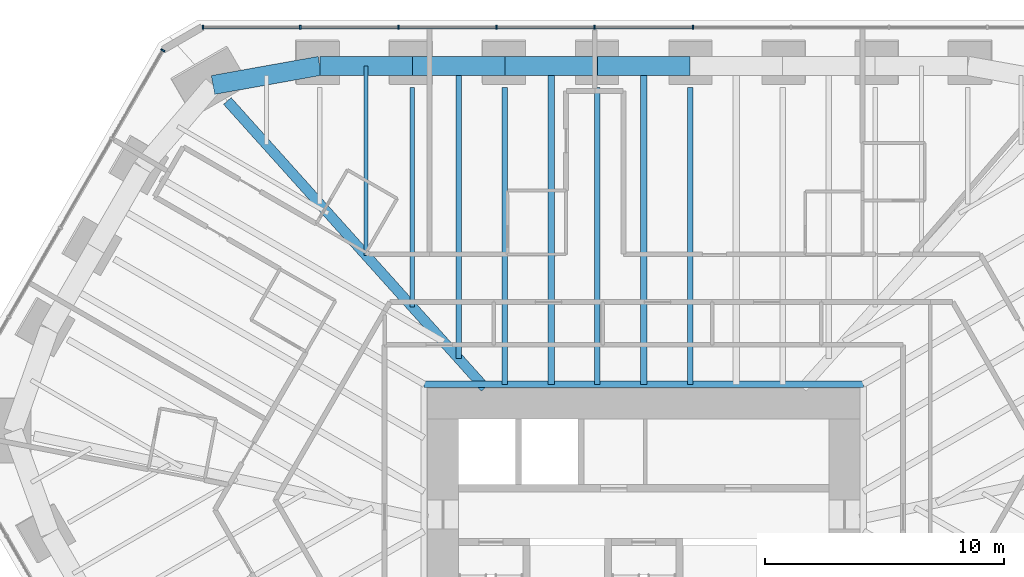
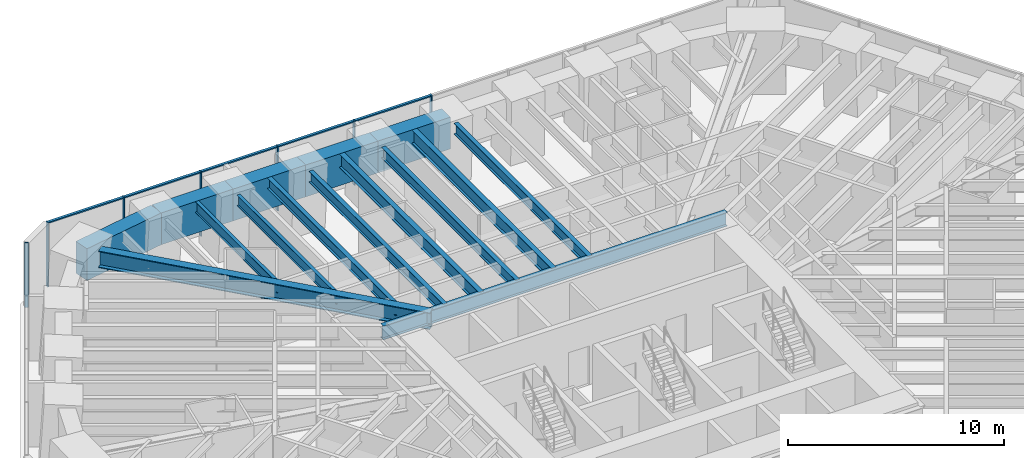
# One storey, part 8 of 18: 15 beams, 12 members, 2 elements without a shape of their own.
"""IFC4 building model written with IfcOpenShell, lengths in metres."""

from ifc_helpers import new_model, si_unit, direction, frame, origin, origin_2d, place, context, subcontext, project, spatial, rectangle, i_section, extrude, material, material_profile, profile_set, type_object, element, aggregate, save


model = new_model("IFC4")

# Units and contexts
model_context = context("Model", 3, precision=1e-05, world=origin(), true_north=direction((0.0, 1.0)))
body_context = subcontext(model_context, "Body", "Model", "MODEL_VIEW")
ifc_project = project(units=[si_unit("LENGTHUNIT", "METRE"), si_unit("AREAUNIT", "SQUARE_METRE"), si_unit("VOLUMEUNIT", "CUBIC_METRE"), si_unit("PLANEANGLEUNIT", "RADIAN"), si_unit("MASSUNIT", "GRAM", prefix="KILO")], contexts=[model_context])

# Site, building, storey
site_placement = place(None, origin())
site = spatial("IfcSite", under=ifc_project, at=site_placement, CompositionType="ELEMENT")
building_placement = place(site_placement, origin())
building = spatial("IfcBuilding", under=site, at=building_placement, Name="Sandreach Pilgrim Tower", CompositionType="ELEMENT")
storey_placement = place(building_placement, frame((0.0, 0.0, 153.800048828125)))
storey = spatial("IfcBuildingStorey", under=building, at=storey_placement, Name="L38", CompositionType="ELEMENT", Elevation=153.800048828125)

# Curtain wall, members
ifc_material_1 = material(Name="Aluminium framed curtain wall", Category="aluminium")
curtain_wall_type = type_object("IfcCurtainWallType", Name="Hotel tower curtain wall", PredefinedType="NOTDEFINED", material=ifc_material_1)
curtain_wall_1_placement = place(storey_placement, origin())
curtain_wall_1 = element("IfcCurtainWall", 1, at=curtain_wall_1_placement, inside=storey, type_object=curtain_wall_type, Name="CW-2 L38 N", PredefinedType="NOTDEFINED")
ifc_material_2 = material(Name="Aluminium extrusion", Category="aluminium")
ifc_material_profile_1 = material_profile(ifc_material_2, rectangle(XDim=0.06494140625, YDim=0.179931640625, at=origin_2d()), Name="CW-2M 65X180")
ifc_profile_set_1 = profile_set([ifc_material_profile_1], Name="Aluminium extrusion")
member_type_1 = type_object("IfcMemberType", Name="CW-2 mullion", PredefinedType="MULLION", material=ifc_profile_set_1)
member_1_placement = place(storey_placement, frame((-18.448974609375, 22.493896484375, 0.0), z_axis=(0.0, 0.0, 1.0), x_axis=(1.0, 0.0, 0.0)))
member_1 = element("IfcMember", 2, at=member_1_placement, type_object=member_type_1, Name="CW-2 mullion 1", PredefinedType="MULLION", context=body_context, shape_type="SweptSolid", body=[
    extrude(rectangle(XDim=0.06494140625, YDim=0.179931640625, at=origin_2d()), origin(), (0.0, 0.0, 1.0), 3.639892578125),
])
member_2_placement = place(storey_placement, frame((-14.37451171875, 22.493896484375, 0.0), z_axis=(0.0, 0.0, 1.0), x_axis=(1.0, 0.0, 0.0)))
member_2 = element("IfcMember", 3, at=member_2_placement, type_object=member_type_1, Name="CW-2 mullion 2", PredefinedType="MULLION", context=body_context, shape_type="SweptSolid", body=[
    extrude(rectangle(XDim=0.06494140625, YDim=0.179931640625, at=origin_2d()), origin(), (0.0, 0.0, 1.0), 3.639892578125),
])
member_3_placement = place(storey_placement, frame((-10.267333984375, 22.493896484375, 0.0), z_axis=(0.0, 0.0, 1.0), x_axis=(1.0, 0.0, 0.0)))
member_3 = element("IfcMember", 4, at=member_3_placement, type_object=member_type_1, Name="CW-2 mullion 3", PredefinedType="MULLION", context=body_context, shape_type="SweptSolid", body=[
    extrude(rectangle(XDim=0.06494140625, YDim=0.179931640625, at=origin_2d()), origin(), (0.0, 0.0, 1.0), 3.639892578125),
])
member_4_placement = place(storey_placement, frame((-6.160400390625, 22.493896484375, 0.0), z_axis=(0.0, 0.0, 1.0), x_axis=(1.0, 0.0, 0.0)))
member_4 = element("IfcMember", 5, at=member_4_placement, type_object=member_type_1, Name="CW-2 mullion 4", PredefinedType="MULLION", context=body_context, shape_type="SweptSolid", body=[
    extrude(rectangle(XDim=0.06494140625, YDim=0.179931640625, at=origin_2d()), origin(), (0.0, 0.0, 1.0), 3.639892578125),
])
member_5_placement = place(storey_placement, frame((-2.053466796875, 22.493896484375, 0.0), z_axis=(0.0, 0.0, 1.0), x_axis=(1.0, 0.0, 0.0)))
member_5 = element("IfcMember", 6, at=member_5_placement, type_object=member_type_1, Name="CW-2 mullion 5", PredefinedType="MULLION", context=body_context, shape_type="SweptSolid", body=[
    extrude(rectangle(XDim=0.06494140625, YDim=0.179931640625, at=origin_2d()), origin(), (0.0, 0.0, 1.0), 3.639892578125),
])
member_6_placement = place(storey_placement, frame((2.053466796875, 22.493896484375, 0.0), z_axis=(0.0, 0.0, 1.0), x_axis=(1.0, 0.0, 0.0)))
member_6 = element("IfcMember", 7, at=member_6_placement, type_object=member_type_1, Name="CW-2 mullion 6", PredefinedType="MULLION", context=body_context, shape_type="SweptSolid", body=[
    extrude(rectangle(XDim=0.06494140625, YDim=0.179931640625, at=origin_2d()), origin(), (0.0, 0.0, 1.0), 3.639892578125),
])

# Curtain wall, member
curtain_wall_2_placement = place(storey_placement, origin())
curtain_wall_2 = element("IfcCurtainWall", 8, at=curtain_wall_2_placement, inside=storey, type_object=curtain_wall_type, Name="CW-2 L38 NW", PredefinedType="NOTDEFINED")
member_7_placement = place(storey_placement, frame((-20.125732421875, 21.525634765625, 0.0), z_axis=(0.0, 0.0, 1.0), x_axis=(0.5, 0.866025403784, 0.0)))
member_7 = element("IfcMember", 9, at=member_7_placement, type_object=member_type_1, Name="CW-2 mullion 5", PredefinedType="MULLION", context=body_context, shape_type="SweptSolid", body=[
    extrude(rectangle(XDim=0.06494140625, YDim=0.179931640625, at=origin_2d()), origin(), (0.0, 0.0, 1.0), 3.639892578125),
])
aggregate(curtain_wall_2, [member_7])

# Member
ifc_material_3 = material(Name="Aluminium extrusion", Category="aluminium")
ifc_material_profile_2 = material_profile(ifc_material_3, rectangle(XDim=0.139892578125, YDim=0.070068359375, at=origin_2d()), Name="CW-2T 140X70")
ifc_profile_set_2 = profile_set([ifc_material_profile_2], Name="Aluminium extrusion")
member_type_2 = type_object("IfcMemberType", Name="CW-2 transom", PredefinedType="USERDEFINED", material=ifc_profile_set_2)
member_8_placement = place(storey_placement, frame((-18.416259765625, 22.493896484375, 3.60498046875), z_axis=(1.0, 0.0, 0.0), x_axis=(0.0, 1.0, 0.0)))
member_8 = element("IfcMember", 10, at=member_8_placement, type_object=member_type_2, Name="CW-2 head transom 1", ObjectType="TRANSOM", PredefinedType="USERDEFINED", context=body_context, shape_type="SweptSolid", body=[
    extrude(rectangle(XDim=0.139892578125, YDim=0.070068359375, at=origin_2d()), origin(), (0.0, 0.0, 1.0), 4.00927734375),
])

member_9_placement = place(storey_placement, frame((-14.341796875, 22.493896484375, 3.60498046875), z_axis=(1.0, 0.0, 0.0), x_axis=(0.0, 1.0, 0.0)))
member_9 = element("IfcMember", 11, at=member_9_placement, type_object=member_type_2, Name="CW-2 head transom 2", ObjectType="TRANSOM", PredefinedType="USERDEFINED", context=body_context, shape_type="SweptSolid", body=[
    extrude(rectangle(XDim=0.139892578125, YDim=0.070068359375, at=origin_2d()), origin(), (0.0, 0.0, 1.0), 4.041748046875),
])

member_10_placement = place(storey_placement, frame((-10.23486328125, 22.493896484375, 3.60498046875), z_axis=(1.0, 0.0, 0.0), x_axis=(0.0, 1.0, 0.0)))
member_10 = element("IfcMember", 12, at=member_10_placement, type_object=member_type_2, Name="CW-2 head transom 3", ObjectType="TRANSOM", PredefinedType="USERDEFINED", context=body_context, shape_type="SweptSolid", body=[
    extrude(rectangle(XDim=0.139892578125, YDim=0.070068359375, at=origin_2d()), origin(), (0.0, 0.0, 1.0), 4.0419921875),
])

member_11_placement = place(storey_placement, frame((-6.1279296875, 22.493896484375, 3.60498046875), z_axis=(1.0, 0.0, 0.0), x_axis=(0.0, 1.0, 0.0)))
member_11 = element("IfcMember", 13, at=member_11_placement, type_object=member_type_2, Name="CW-2 head transom 4", ObjectType="TRANSOM", PredefinedType="USERDEFINED", context=body_context, shape_type="SweptSolid", body=[
    extrude(rectangle(XDim=0.139892578125, YDim=0.070068359375, at=origin_2d()), origin(), (0.0, 0.0, 1.0), 4.0419921875),
])

member_12_placement = place(storey_placement, frame((-2.02099609375, 22.493896484375, 3.60498046875), z_axis=(1.0, 0.0, 0.0), x_axis=(0.0, 1.0, 0.0)))
member_12 = element("IfcMember", 14, at=member_12_placement, type_object=member_type_2, Name="CW-2 head transom 5", ObjectType="TRANSOM", PredefinedType="USERDEFINED", context=body_context, shape_type="SweptSolid", body=[
    extrude(rectangle(XDim=0.139892578125, YDim=0.070068359375, at=origin_2d()), origin(), (0.0, 0.0, 1.0), 4.0419921875),
])

aggregate(curtain_wall_1, [member_1, member_2, member_3, member_4, member_5, member_6, member_8, member_9, member_10, member_11, member_12])

# Beams
ifc_material_4 = material(Name="Steel ASTM A992 Grade 50", Category="steel")
ifc_material_profile_3 = material_profile(ifc_material_4, i_section(OverallWidth=0.2666015625, OverallDepth=0.77978515625, WebThickness=0.0166015625, FlangeThickness=0.030029296875, at=origin_2d()), Name="W30X148")
ifc_profile_set_3 = profile_set([ifc_material_profile_3], Name="Steel ASTM A992 Grade 50")
beam_type_1 = type_object("IfcBeamType", Name="Core edge beam W30X148", PredefinedType="BEAM", material=ifc_profile_set_3)
beam_1_placement = place(storey_placement, frame((-9.193359375, 7.54345703125, 3.25), z_axis=(1.0, 0.0, 0.0), x_axis=(0.0, 1.0, 0.0)))
element("IfcBeam", 15, at=beam_1_placement, inside=storey, type_object=beam_type_1, Name="BM L38 CEN", PredefinedType="BEAM", context=body_context, shape_type="SweptSolid", body=[
    extrude(i_section(OverallWidth=0.2666015625, OverallDepth=0.77978515625, WebThickness=0.0166015625, FlangeThickness=0.030029296875, at=origin_2d()), origin(), (0.0, 0.0, 1.0), 18.38671875),
])
ifc_material_5 = material(Name="Steel ASTM A992 Grade 50", Category="steel")
ifc_material_profile_4 = material_profile(ifc_material_5, i_section(OverallWidth=0.424072265625, OverallDepth=0.947509765625, WebThickness=0.02392578125, FlangeThickness=0.042724609375, at=origin_2d()), Name="W36X302")
ifc_profile_set_4 = profile_set([ifc_material_profile_4], Name="Steel ASTM A992 Grade 50")
beam_type_2 = type_object("IfcBeamType", Name="Corner girder W36X302", PredefinedType="BEAM", material=ifc_profile_set_4)
beam_2_placement = place(storey_placement, frame((-17.425048828125, 19.40576171875, 3.166259765625), z_axis=(0.668108278651, -0.744064061757, 0.0), x_axis=(0.744064061757, 0.668108278651, 0.0)))
element("IfcBeam", 16, at=beam_2_placement, inside=storey, type_object=beam_type_2, Name="BM L38 CG39", PredefinedType="BEAM", context=body_context, shape_type="SweptSolid", body=[
    extrude(i_section(OverallWidth=0.424072265625, OverallDepth=0.947509765625, WebThickness=0.02392578125, FlangeThickness=0.042724609375, at=origin_2d()), origin(), (0.0, 0.0, 1.0), 16.135498046875),
])
ifc_material_6 = material(Name="Steel ASTM A992 Grade 50", Category="steel")
ifc_material_profile_5 = material_profile(ifc_material_6, i_section(OverallWidth=0.1787109375, OverallDepth=0.60205078125, WebThickness=0.010986328125, FlangeThickness=0.014892578125, at=origin_2d()), Name="W24X62")
ifc_profile_set_5 = profile_set([ifc_material_profile_5], Name="Steel ASTM A992 Grade 50")
beam_type_3 = type_object("IfcBeamType", Name="Floor beam W24X62", PredefinedType="BEAM", material=ifc_profile_set_5)
beam_3_placement = place(storey_placement, frame((-9.68310546875, 19.974365234375, 3.3388671875), z_axis=(0.0, -1.0, 0.0), x_axis=(1.0, 0.0, 0.0)))
element("IfcBeam", 17, at=beam_3_placement, inside=storey, type_object=beam_type_3, Name="BM L38 F02", PredefinedType="BEAM", context=body_context, shape_type="SweptSolid", body=[
    extrude(i_section(OverallWidth=0.1787109375, OverallDepth=0.60205078125, WebThickness=0.010986328125, FlangeThickness=0.014892578125, at=origin_2d()), origin(), (0.0, 0.0, 1.0), 9.190673828125),
])
beam_4_placement = place(storey_placement, frame((-11.619873046875, 20.874267578125, 3.3388671875), z_axis=(0.0, -1.0, 0.0), x_axis=(1.0, 0.0, 0.0)))
element("IfcBeam", 18, at=beam_4_placement, inside=storey, type_object=beam_type_3, Name="BM L38 FM01", PredefinedType="BEAM", context=body_context, shape_type="SweptSolid", body=[
    extrude(i_section(OverallWidth=0.1787109375, OverallDepth=0.60205078125, WebThickness=0.010986328125, FlangeThickness=0.014892578125, at=origin_2d()), origin(), (0.0, 0.0, 1.0), 7.933837890625),
])
ifc_material_7 = material(Name="Steel ASTM A992 Grade 50", Category="steel")
ifc_material_profile_6 = material_profile(ifc_material_7, i_section(OverallWidth=0.23046875, OverallDepth=0.6171875, WebThickness=0.01318359375, FlangeThickness=0.022216796875, at=origin_2d()), Name="W24X94")
ifc_profile_set_6 = profile_set([ifc_material_profile_6], Name="Steel ASTM A992 Grade 50")
beam_type_4 = type_object("IfcBeamType", Name="Floor beam W24X94", PredefinedType="BEAM", material=ifc_profile_set_6)
for number, where, z_axis, x_axis, name in (
    (19, (-5.809814453125, 19.974365234375, 3.331298828125), (0.0, -1.0, 0.0), (1.0, 0.0, 0.0), "BM L38 F03"),
    (20, (-1.9365234375, 19.974365234375, 3.331298828125), (0.0, -1.0, 0.0), (1.0, 0.0, 0.0), "BM L38 F04"),
    (21, (1.9365234375, 19.974365234375, 3.331298828125), (0.0, -1.0, 0.0), (1.0, 0.0, 0.0), "BM L38 F05"),
):
    element("IfcBeam", number, at=place(storey_placement, frame(where, z_axis=z_axis, x_axis=x_axis)), inside=storey, type_object=beam_type_4, Name=name, PredefinedType="BEAM", context=body_context, shape_type="SweptSolid", body=[
        extrude(i_section(OverallWidth=0.23046875, OverallDepth=0.6171875, WebThickness=0.01318359375, FlangeThickness=0.022216796875, at=origin_2d()), origin(), (0.0, 0.0, 1.0), 12.430908203125),
    ])
beam_5_placement = place(storey_placement, frame((-7.74658203125, 20.874267578125, 3.331298828125), z_axis=(0.0, -1.0, 0.0), x_axis=(1.0, 0.0, 0.0)))
element("IfcBeam", 22, at=beam_5_placement, inside=storey, type_object=beam_type_4, Name="BM L38 FM02", PredefinedType="BEAM", context=body_context, shape_type="SweptSolid", body=[
    extrude(i_section(OverallWidth=0.23046875, OverallDepth=0.6171875, WebThickness=0.01318359375, FlangeThickness=0.022216796875, at=origin_2d()), origin(), (0.0, 0.0, 1.0), 12.247314453125),
])
ifc_material_8 = material(Name="Steel ASTM A992 Grade 50", Category="steel")
ifc_material_profile_7 = material_profile(ifc_material_8, i_section(OverallWidth=0.2666015625, OverallDepth=0.761962890625, WebThickness=0.014404296875, FlangeThickness=0.021484375, at=origin_2d()), Name="W30X116")
ifc_profile_set_7 = profile_set([ifc_material_profile_7], Name="Steel ASTM A992 Grade 50")
beam_type_5 = type_object("IfcBeamType", Name="Floor beam W30X116", PredefinedType="BEAM", material=ifc_profile_set_7)
for number, where, z_axis, x_axis, name in (
    (23, (-3.873291015625, 20.874267578125, 3.259033203125), (0.0, -1.0, 0.0), (1.0, 0.0, 0.0), "BM L38 FM03"),
    (24, (0.0, 20.874267578125, 3.259033203125), (0.0, -1.0, 0.0), (1.0, 0.0, 0.0), "BM L38 FM04"),
):
    element("IfcBeam", number, at=place(storey_placement, frame(where, z_axis=z_axis, x_axis=x_axis)), inside=storey, type_object=beam_type_5, Name=name, PredefinedType="BEAM", context=body_context, shape_type="SweptSolid", body=[
        extrude(i_section(OverallWidth=0.2666015625, OverallDepth=0.761962890625, WebThickness=0.014404296875, FlangeThickness=0.021484375, at=origin_2d()), origin(), (0.0, 0.0, 1.0), 13.330810546875),
    ])
ifc_material_9 = material(Name="Concrete 10000 psi", Category="concrete")
ifc_material_profile_8 = material_profile(ifc_material_9, rectangle(XDim=0.800048828125, YDim=1.800048828125, at=origin_2d()), Name="RC800X1800")
ifc_profile_set_8 = profile_set([ifc_material_profile_8], Name="Concrete 10000 psi")
beam_type_6 = type_object("IfcBeamType", Name="Spandrel beam RC800X1800", PredefinedType="SPANDREL", material=ifc_profile_set_8)
for number, where, z_axis, x_axis, name in (
    (25, (-13.556396484375, 20.874267578125, 2.739990234375), (1.0, 0.0, 0.0), (0.0, 1.0, 0.0), "BM L38 SP01"),
    (26, (-9.68310546875, 20.874267578125, 2.739990234375), (1.0, 0.0, 0.0), (0.0, 1.0, 0.0), "BM L38 SP02"),
    (27, (-5.809814453125, 20.874267578125, 2.739990234375), (1.0, 0.0, 0.0), (0.0, 1.0, 0.0), "BM L38 SP03"),
):
    element("IfcBeam", number, at=place(storey_placement, frame(where, z_axis=z_axis, x_axis=x_axis)), inside=storey, type_object=beam_type_6, Name=name, PredefinedType="SPANDREL", context=body_context, shape_type="SweptSolid", body=[
        extrude(rectangle(XDim=0.800048828125, YDim=1.800048828125, at=origin_2d()), origin(), (0.0, 0.0, 1.0), 3.873291015625),
    ])
beam_6_placement = place(storey_placement, frame((-1.9365234375, 20.874267578125, 2.739990234375), z_axis=(1.0, 0.0, 0.0), x_axis=(0.0, 1.0, 0.0)))
element("IfcBeam", 28, at=beam_6_placement, inside=storey, type_object=beam_type_6, Name="BM L38 SP04", PredefinedType="SPANDREL", context=body_context, shape_type="SweptSolid", body=[
    extrude(rectangle(XDim=0.800048828125, YDim=1.800048828125, at=origin_2d()), origin(), (0.0, 0.0, 1.0), 3.873046875),
])
beam_7_placement = place(storey_placement, frame((-18.0263671875, 20.0751953125, 2.739990234375), z_axis=(0.984394660891, 0.17597486073, 0.0), x_axis=(-0.17597486073, 0.984394660891, 0.0)))
element("IfcBeam", 29, at=beam_7_placement, inside=storey, type_object=beam_type_6, Name="BM L38 SP39", PredefinedType="SPANDREL", context=body_context, shape_type="SweptSolid", body=[
    extrude(rectangle(XDim=0.800048828125, YDim=1.800048828125, at=origin_2d()), origin(), (0.0, 0.0, 1.0), 4.540771484375),
])

save(model, "model.ifc")
